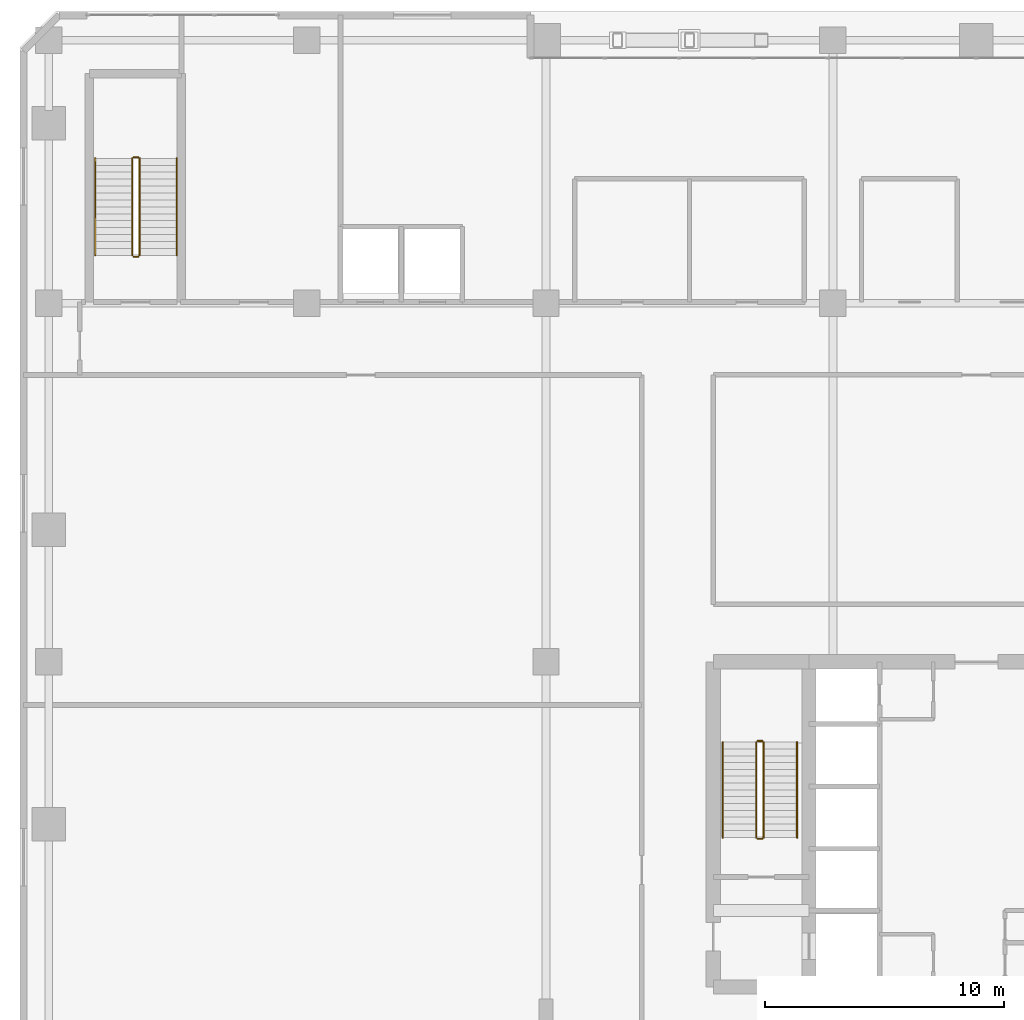
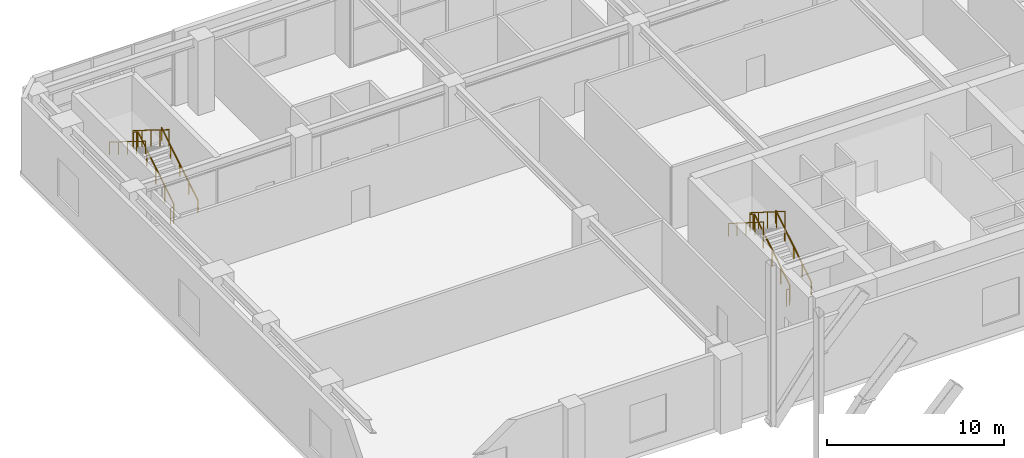
# One storey, part 26 of 28: 12 railings.
"""IFC4 building model written with IfcOpenShell, lengths in metres."""

from ifc_helpers import new_model, si_unit, direction, frame, origin, origin_2d, place, context, subcontext, project, spatial, rectangle, extrude, material, type_object, element, save


model = new_model("IFC4")

# Units and contexts
model_context = context("Model", 3, precision=1e-05, world=origin(), true_north=direction((0.0, 1.0)))
body_context = subcontext(model_context, "Body", "Model", "MODEL_VIEW")
ifc_project = project(units=[si_unit("LENGTHUNIT", "METRE"), si_unit("AREAUNIT", "SQUARE_METRE"), si_unit("VOLUMEUNIT", "CUBIC_METRE"), si_unit("PLANEANGLEUNIT", "RADIAN"), si_unit("MASSUNIT", "GRAM", prefix="KILO")], contexts=[model_context])

# Site, building, storey
site_placement = place(None, origin())
site = spatial("IfcSite", under=ifc_project, at=site_placement, CompositionType="ELEMENT")
building_placement = place(site_placement, origin())
building = spatial("IfcBuilding", under=site, at=building_placement, Name="Sarneth Arch Tower", CompositionType="ELEMENT")
storey_placement = place(building_placement, frame((0.0, 0.0, 6.0)))
storey = spatial("IfcBuildingStorey", under=building, at=storey_placement, Name="L01", CompositionType="ELEMENT", Elevation=6.0)

# Railings
ifc_material_1 = material(Name="Brushed Stainless Steel 304 tubular handrail", Category="steel")
railing_type_1 = type_object("IfcRailingType", Name="RAIL-HANDRAIL-900", PredefinedType="HANDRAIL", material=ifc_material_1)
railing_1_placement = place(storey_placement, frame((40.5, 41.449951171875, 0.179931640625)))
element("IfcRailing", 1, at=railing_1_placement, inside=storey, type_object=railing_type_1, Name="L01 ST-1 stair handrail 1", PredefinedType="HANDRAIL", context=body_context, shape_type="SweptSolid", body=[
    extrude(rectangle(XDim=0.048095703125, YDim=0.048095703125, at=origin_2d()), frame((0.0, 0.0, 0.8759765625), z_axis=(0.0, 0.845486444383, 0.533996884227), x_axis=(-1.0, 0.0, 0.0)), (0.0, 0.0, 1.0), 4.71923828125),
    extrude(rectangle(XDim=0.0419921875, YDim=0.0419921875, at=origin_2d()), origin(), (0.0, 0.0, 1.0), 0.851806640625),
    extrude(rectangle(XDim=0.0419921875, YDim=0.0419921875, at=origin_2d()), frame((0.0, 0.99755859375, 0.6298828125)), (0.0, 0.0, 1.0), 0.851806640625),
    extrude(rectangle(XDim=0.0419921875, YDim=0.0419921875, at=origin_2d()), frame((0.0, 1.9951171875, 1.260009765625)), (0.0, 0.0, 1.0), 0.851806640625),
    extrude(rectangle(XDim=0.0419921875, YDim=0.0419921875, at=origin_2d()), frame((0.0, 2.992431640625, 1.89013671875)), (0.0, 0.0, 1.0), 0.851806640625),
    extrude(rectangle(XDim=0.0419921875, YDim=0.0419921875, at=origin_2d()), frame((0.0, 3.989990234375, 2.52001953125)), (0.0, 0.0, 1.0), 0.851806640625),
])
railing_2_placement = place(storey_placement, frame((37.39990234375, 45.43994140625, 2.8798828125)))
element("IfcRailing", 2, at=railing_2_placement, inside=storey, type_object=railing_type_1, Name="L01 ST-1 stair handrail 2", PredefinedType="HANDRAIL", context=body_context, shape_type="SweptSolid", body=[
    extrude(rectangle(XDim=0.048095703125, YDim=0.048095703125, at=origin_2d()), frame((0.0, 0.0, 0.8759765625), z_axis=(0.0, -0.845486444383, 0.533996884227), x_axis=(1.0, 0.0, 0.0)), (0.0, 0.0, 1.0), 4.71923828125),
    extrude(rectangle(XDim=0.0419921875, YDim=0.0419921875, at=origin_2d()), origin(), (0.0, 0.0, 1.0), 0.851806640625),
    extrude(rectangle(XDim=0.0419921875, YDim=0.0419921875, at=origin_2d()), frame((0.0, -0.99755859375, 0.6298828125)), (0.0, 0.0, 1.0), 0.851806640625),
    extrude(rectangle(XDim=0.0419921875, YDim=0.0419921875, at=origin_2d()), frame((0.0, -1.9951171875, 1.260009765625)), (0.0, 0.0, 1.0), 0.851806640625),
    extrude(rectangle(XDim=0.0419921875, YDim=0.0419921875, at=origin_2d()), frame((0.0, -2.992431640625, 1.89013671875)), (0.0, 0.0, 1.0), 0.851806640625),
    extrude(rectangle(XDim=0.0419921875, YDim=0.0419921875, at=origin_2d()), frame((0.0, -3.989990234375, 2.52001953125)), (0.0, 0.0, 1.0), 0.851806640625),
])
railing_3_placement = place(storey_placement, frame((14.550048828125, 65.800048828125, 0.179931640625)))
element("IfcRailing", 3, at=railing_3_placement, inside=storey, type_object=railing_type_1, Name="L01 ST-P1 stair handrail 1", PredefinedType="HANDRAIL", context=body_context, shape_type="SweptSolid", body=[
    extrude(rectangle(XDim=0.048095703125, YDim=0.048095703125, at=origin_2d()), frame((0.0, 0.0, 0.8759765625), z_axis=(0.0, 0.849641744969, 0.527360318194), x_axis=(-1.0, 0.0, 0.0)), (0.0, 0.0, 1.0), 4.778564453125),
    extrude(rectangle(XDim=0.0419921875, YDim=0.0419921875, at=origin_2d()), origin(), (0.0, 0.0, 1.0), 0.851806640625),
    extrude(rectangle(XDim=0.0419921875, YDim=0.0419921875, at=origin_2d()), frame((0.0, 1.01513671875, 0.6298828125)), (0.0, 0.0, 1.0), 0.851806640625),
    extrude(rectangle(XDim=0.0419921875, YDim=0.0419921875, at=origin_2d()), frame((0.0, 2.030029296875, 1.260009765625)), (0.0, 0.0, 1.0), 0.851806640625),
    extrude(rectangle(XDim=0.0419921875, YDim=0.0419921875, at=origin_2d()), frame((0.0, 3.044921875, 1.89013671875)), (0.0, 0.0, 1.0), 0.851806640625),
    extrude(rectangle(XDim=0.0419921875, YDim=0.0419921875, at=origin_2d()), frame((0.0, 4.06005859375, 2.52001953125)), (0.0, 0.0, 1.0), 0.851806640625),
])
railing_4_placement = place(storey_placement, frame((11.14990234375, 69.860107421875, 2.8798828125)))
element("IfcRailing", 4, at=railing_4_placement, inside=storey, type_object=railing_type_1, Name="L01 ST-P1 stair handrail 2", PredefinedType="HANDRAIL", context=body_context, shape_type="SweptSolid", body=[
    extrude(rectangle(XDim=0.048095703125, YDim=0.048095703125, at=origin_2d()), frame((0.0, 0.0, 0.8759765625), z_axis=(0.0, -0.849641744969, 0.527360318194), x_axis=(1.0, 0.0, 0.0)), (0.0, 0.0, 1.0), 4.778564453125),
    extrude(rectangle(XDim=0.0419921875, YDim=0.0419921875, at=origin_2d()), origin(), (0.0, 0.0, 1.0), 0.851806640625),
    extrude(rectangle(XDim=0.0419921875, YDim=0.0419921875, at=origin_2d()), frame((0.0, -1.01513671875, 0.6298828125)), (0.0, 0.0, 1.0), 0.851806640625),
    extrude(rectangle(XDim=0.0419921875, YDim=0.0419921875, at=origin_2d()), frame((0.0, -2.030029296875, 1.260009765625)), (0.0, 0.0, 1.0), 0.851806640625),
    extrude(rectangle(XDim=0.0419921875, YDim=0.0419921875, at=origin_2d()), frame((0.0, -3.044921875, 1.89013671875)), (0.0, 0.0, 1.0), 0.851806640625),
    extrude(rectangle(XDim=0.0419921875, YDim=0.0419921875, at=origin_2d()), frame((0.0, -4.06005859375, 2.52001953125)), (0.0, 0.0, 1.0), 0.851806640625),
])
ifc_material_2 = material(Name="Painted Steel S275 stair well guard", Category="steel")
railing_type_2 = type_object("IfcRailingType", Name="RAIL-STAIR-GUARD", PredefinedType="GUARDRAIL", material=ifc_material_2)
railing_5_placement = place(storey_placement, frame((39.10009765625, 41.449951171875, 0.179931640625)))
element("IfcRailing", 5, at=railing_5_placement, inside=storey, type_object=railing_type_2, Name="L01 ST-1 stair guard 1", PredefinedType="GUARDRAIL", context=body_context, shape_type="SweptSolid", body=[
    extrude(rectangle(XDim=0.048095703125, YDim=0.048095703125, at=origin_2d()), frame((0.0, 0.0, 1.1259765625), z_axis=(0.0, 0.845486444383, 0.533996884227), x_axis=(-1.0, 0.0, 0.0)), (0.0, 0.0, 1.0), 4.71923828125),
    extrude(rectangle(XDim=0.0419921875, YDim=0.0419921875, at=origin_2d()), origin(), (0.0, 0.0, 1.0), 1.101806640625),
    extrude(rectangle(XDim=0.0419921875, YDim=0.0419921875, at=origin_2d()), frame((0.0, 0.99755859375, 0.6298828125)), (0.0, 0.0, 1.0), 1.101806640625),
    extrude(rectangle(XDim=0.0419921875, YDim=0.0419921875, at=origin_2d()), frame((0.0, 1.9951171875, 1.260009765625)), (0.0, 0.0, 1.0), 1.101806640625),
    extrude(rectangle(XDim=0.0419921875, YDim=0.0419921875, at=origin_2d()), frame((0.0, 2.992431640625, 1.89013671875)), (0.0, 0.0, 1.0), 1.101806640625),
    extrude(rectangle(XDim=0.0419921875, YDim=0.0419921875, at=origin_2d()), frame((0.0, 3.989990234375, 2.52001953125)), (0.0, 0.0, 1.0), 1.101806640625),
])
railing_6_placement = place(storey_placement, frame((39.050048828125, 45.489990234375, 2.699951171875)))
element("IfcRailing", 6, at=railing_6_placement, inside=storey, type_object=railing_type_2, Name="L01 ST-1 stair guard 2", PredefinedType="GUARDRAIL", context=body_context, shape_type="SweptSolid", body=[
    extrude(rectangle(XDim=0.048095703125, YDim=0.048095703125, at=origin_2d()), frame((0.0, 0.0, 1.1259765625), z_axis=(-1.0, 0.0, 0.0), x_axis=(0.0, -1.0, 0.0)), (0.0, 0.0, 1.0), 0.199951171875),
    extrude(rectangle(XDim=0.0419921875, YDim=0.0419921875, at=origin_2d()), origin(), (0.0, 0.0, 1.0), 1.101806640625),
    extrude(rectangle(XDim=0.0419921875, YDim=0.0419921875, at=origin_2d()), frame((-0.199951171875, 0.0, 0.0)), (0.0, 0.0, 1.0), 1.101806640625),
])
railing_7_placement = place(storey_placement, frame((38.800048828125, 45.43994140625, 2.8798828125)))
element("IfcRailing", 7, at=railing_7_placement, inside=storey, type_object=railing_type_2, Name="L01 ST-1 stair guard 3", PredefinedType="GUARDRAIL", context=body_context, shape_type="SweptSolid", body=[
    extrude(rectangle(XDim=0.048095703125, YDim=0.048095703125, at=origin_2d()), frame((0.0, 0.0, 1.1259765625), z_axis=(0.0, -0.845486444383, 0.533996884227), x_axis=(1.0, 0.0, 0.0)), (0.0, 0.0, 1.0), 4.71923828125),
    extrude(rectangle(XDim=0.0419921875, YDim=0.0419921875, at=origin_2d()), origin(), (0.0, 0.0, 1.0), 1.101806640625),
    extrude(rectangle(XDim=0.0419921875, YDim=0.0419921875, at=origin_2d()), frame((0.0, -0.99755859375, 0.6298828125)), (0.0, 0.0, 1.0), 1.101806640625),
    extrude(rectangle(XDim=0.0419921875, YDim=0.0419921875, at=origin_2d()), frame((0.0, -1.9951171875, 1.260009765625)), (0.0, 0.0, 1.0), 1.101806640625),
    extrude(rectangle(XDim=0.0419921875, YDim=0.0419921875, at=origin_2d()), frame((0.0, -2.992431640625, 1.89013671875)), (0.0, 0.0, 1.0), 1.101806640625),
    extrude(rectangle(XDim=0.0419921875, YDim=0.0419921875, at=origin_2d()), frame((0.0, -3.989990234375, 2.52001953125)), (0.0, 0.0, 1.0), 1.101806640625),
])
railing_8_placement = place(storey_placement, frame((39.050048828125, 41.39990234375, 0.0)))
element("IfcRailing", 8, at=railing_8_placement, inside=storey, type_object=railing_type_2, Name="L01 ST-1 stair guard 4", PredefinedType="GUARDRAIL", context=body_context, shape_type="SweptSolid", body=[
    extrude(rectangle(XDim=0.048095703125, YDim=0.048095703125, at=origin_2d()), frame((0.0, 0.0, 1.1259765625), z_axis=(-1.0, 0.0, 0.0), x_axis=(0.0, -1.0, 0.0)), (0.0, 0.0, 1.0), 0.199951171875),
    extrude(rectangle(XDim=0.0419921875, YDim=0.0419921875, at=origin_2d()), origin(), (0.0, 0.0, 1.0), 1.101806640625),
    extrude(rectangle(XDim=0.0419921875, YDim=0.0419921875, at=origin_2d()), frame((-0.199951171875, 0.0, 0.0)), (0.0, 0.0, 1.0), 1.101806640625),
])
railing_9_placement = place(storey_placement, frame((13.0, 65.800048828125, 0.179931640625)))
element("IfcRailing", 9, at=railing_9_placement, inside=storey, type_object=railing_type_2, Name="L01 ST-P1 stair guard 1", PredefinedType="GUARDRAIL", context=body_context, shape_type="SweptSolid", body=[
    extrude(rectangle(XDim=0.048095703125, YDim=0.048095703125, at=origin_2d()), frame((0.0, 0.0, 1.1259765625), z_axis=(0.0, 0.849641744969, 0.527360318194), x_axis=(-1.0, 0.0, 0.0)), (0.0, 0.0, 1.0), 4.778564453125),
    extrude(rectangle(XDim=0.0419921875, YDim=0.0419921875, at=origin_2d()), origin(), (0.0, 0.0, 1.0), 1.101806640625),
    extrude(rectangle(XDim=0.0419921875, YDim=0.0419921875, at=origin_2d()), frame((0.0, 1.01513671875, 0.6298828125)), (0.0, 0.0, 1.0), 1.101806640625),
    extrude(rectangle(XDim=0.0419921875, YDim=0.0419921875, at=origin_2d()), frame((0.0, 2.030029296875, 1.260009765625)), (0.0, 0.0, 1.0), 1.101806640625),
    extrude(rectangle(XDim=0.0419921875, YDim=0.0419921875, at=origin_2d()), frame((0.0, 3.044921875, 1.89013671875)), (0.0, 0.0, 1.0), 1.101806640625),
    extrude(rectangle(XDim=0.0419921875, YDim=0.0419921875, at=origin_2d()), frame((0.0, 4.06005859375, 2.52001953125)), (0.0, 0.0, 1.0), 1.101806640625),
])
railing_10_placement = place(storey_placement, frame((12.949951171875, 69.909912109375, 2.699951171875)))
element("IfcRailing", 10, at=railing_10_placement, inside=storey, type_object=railing_type_2, Name="L01 ST-P1 stair guard 2", PredefinedType="GUARDRAIL", context=body_context, shape_type="SweptSolid", body=[
    extrude(rectangle(XDim=0.048095703125, YDim=0.048095703125, at=origin_2d()), frame((0.0, 0.0, 1.1259765625), z_axis=(-1.0, 0.0, 0.0), x_axis=(0.0, -1.0, 0.0)), (0.0, 0.0, 1.0), 0.199951171875),
    extrude(rectangle(XDim=0.0419921875, YDim=0.0419921875, at=origin_2d()), origin(), (0.0, 0.0, 1.0), 1.101806640625),
    extrude(rectangle(XDim=0.0419921875, YDim=0.0419921875, at=origin_2d()), frame((-0.199951171875, 0.0, 0.0)), (0.0, 0.0, 1.0), 1.101806640625),
])
railing_11_placement = place(storey_placement, frame((12.699951171875, 69.860107421875, 2.8798828125)))
element("IfcRailing", 11, at=railing_11_placement, inside=storey, type_object=railing_type_2, Name="L01 ST-P1 stair guard 3", PredefinedType="GUARDRAIL", context=body_context, shape_type="SweptSolid", body=[
    extrude(rectangle(XDim=0.048095703125, YDim=0.048095703125, at=origin_2d()), frame((0.0, 0.0, 1.1259765625), z_axis=(0.0, -0.849641744969, 0.527360318194), x_axis=(1.0, 0.0, 0.0)), (0.0, 0.0, 1.0), 4.778564453125),
    extrude(rectangle(XDim=0.0419921875, YDim=0.0419921875, at=origin_2d()), origin(), (0.0, 0.0, 1.0), 1.101806640625),
    extrude(rectangle(XDim=0.0419921875, YDim=0.0419921875, at=origin_2d()), frame((0.0, -1.01513671875, 0.6298828125)), (0.0, 0.0, 1.0), 1.101806640625),
    extrude(rectangle(XDim=0.0419921875, YDim=0.0419921875, at=origin_2d()), frame((0.0, -2.030029296875, 1.260009765625)), (0.0, 0.0, 1.0), 1.101806640625),
    extrude(rectangle(XDim=0.0419921875, YDim=0.0419921875, at=origin_2d()), frame((0.0, -3.044921875, 1.89013671875)), (0.0, 0.0, 1.0), 1.101806640625),
    extrude(rectangle(XDim=0.0419921875, YDim=0.0419921875, at=origin_2d()), frame((0.0, -4.06005859375, 2.52001953125)), (0.0, 0.0, 1.0), 1.101806640625),
])
railing_12_placement = place(storey_placement, frame((12.949951171875, 65.75, 0.0)))
element("IfcRailing", 12, at=railing_12_placement, inside=storey, type_object=railing_type_2, Name="L01 ST-P1 stair guard 4", PredefinedType="GUARDRAIL", context=body_context, shape_type="SweptSolid", body=[
    extrude(rectangle(XDim=0.048095703125, YDim=0.048095703125, at=origin_2d()), frame((0.0, 0.0, 1.1259765625), z_axis=(-1.0, 0.0, 0.0), x_axis=(0.0, -1.0, 0.0)), (0.0, 0.0, 1.0), 0.199951171875),
    extrude(rectangle(XDim=0.0419921875, YDim=0.0419921875, at=origin_2d()), origin(), (0.0, 0.0, 1.0), 1.101806640625),
    extrude(rectangle(XDim=0.0419921875, YDim=0.0419921875, at=origin_2d()), frame((-0.199951171875, 0.0, 0.0)), (0.0, 0.0, 1.0), 1.101806640625),
])

save(model, "model.ifc")
